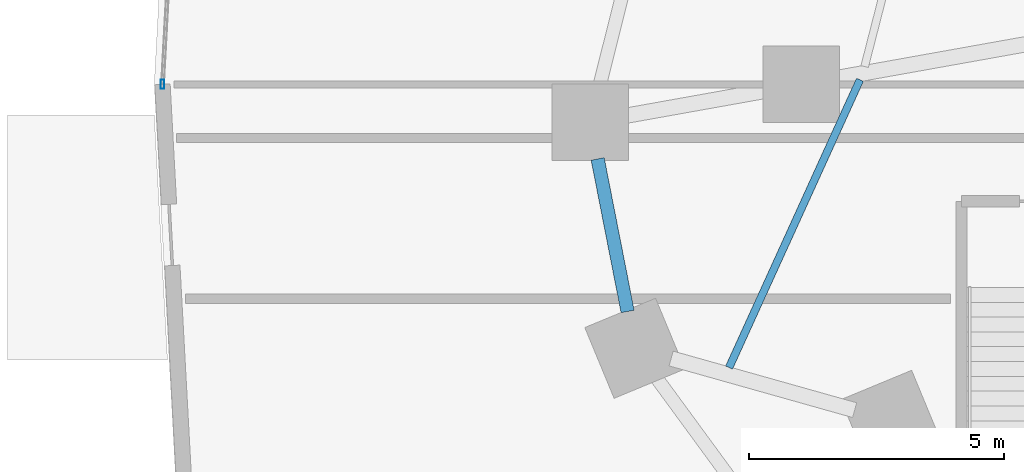
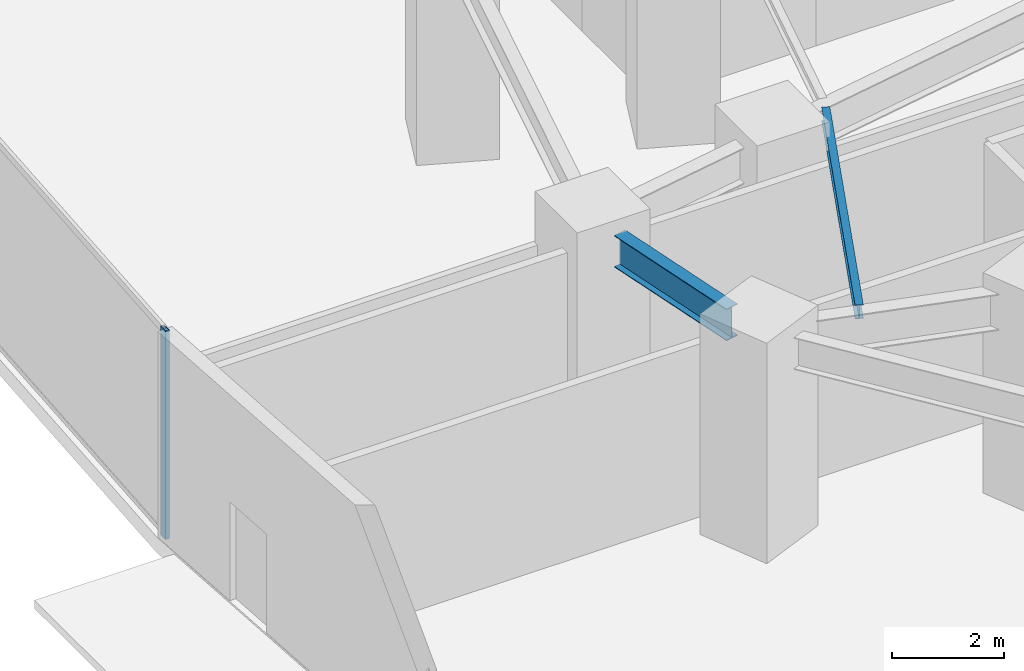
# One storey, part 8 of 36: 2 beams, 1 member, 1 element without a shape of its own.
"""IFC4 building model written with IfcOpenShell, lengths in metres."""

from ifc_helpers import new_model, si_unit, direction, frame, origin, origin_2d, place, context, subcontext, project, spatial, hollow_rectangle, i_section, extrude, material, material_profile, profile_set, type_object, element, aggregate, save


model = new_model("IFC4")

# Units and contexts
model_context = context("Model", 3, precision=1e-05, world=origin(), true_north=direction((0.0, 1.0)))
body_context = subcontext(model_context, "Body", "Model", "MODEL_VIEW")
ifc_project = project(units=[si_unit("LENGTHUNIT", "METRE"), si_unit("AREAUNIT", "SQUARE_METRE"), si_unit("VOLUMEUNIT", "CUBIC_METRE"), si_unit("PLANEANGLEUNIT", "RADIAN"), si_unit("MASSUNIT", "GRAM", prefix="KILO")], contexts=[model_context])

# Site, building, storey
site_placement = place(None, origin())
site = spatial("IfcSite", under=ifc_project, at=site_placement, CompositionType="ELEMENT")
building_placement = place(site_placement, origin())
building = spatial("IfcBuilding", under=site, at=building_placement, Name="Vorneva Point Tower", CompositionType="ELEMENT")
storey_placement = place(building_placement, origin())
storey = spatial("IfcBuildingStorey", under=building, at=storey_placement, Name="L00", CompositionType="ELEMENT", Elevation=0.0)

# Beams
ifc_material_1 = material(Name="Steel S355", Category="steel")
ifc_material_profile_1 = material_profile(ifc_material_1, i_section(OverallWidth=0.14892578125, OverallDepth=0.298095703125, WebThickness=0.005615234375, FlangeThickness=0.008056640625, at=origin_2d()), Name="30B1")
ifc_profile_set_1 = profile_set([ifc_material_profile_1], Name="Steel S355")
beam_type_1 = type_object("IfcBeamType", Name="BM-JST-30B1", PredefinedType="JOIST", material=ifc_profile_set_1)
beam_1_placement = place(storey_placement, frame((16.098388671875, 26.090087890625, 4.3310546875), z_axis=(-0.413975174809, -0.910288171209, 0.0), x_axis=(0.910288171209, -0.413975174809, 0.0)))
element("IfcBeam", 1, at=beam_1_placement, inside=storey, type_object=beam_type_1, Name="L00 Secondary Floor Beam 1.09", PredefinedType="JOIST", context=body_context, shape_type="SweptSolid", body=[
    extrude(i_section(OverallWidth=0.14892578125, OverallDepth=0.298095703125, WebThickness=0.005615234375, FlangeThickness=0.008056640625, at=origin_2d()), origin(), (0.0, 0.0, 1.0), 6.194091796875),
])
ifc_material_profile_2 = material_profile(ifc_material_1, i_section(OverallWidth=0.260009765625, OverallDepth=0.69091796875, WebThickness=0.011962890625, FlangeThickness=0.015380859375, at=origin_2d()), Name="70B1")
ifc_profile_set_2 = profile_set([ifc_material_profile_2], Name="Steel S355")
beam_type_2 = type_object("IfcBeamType", Name="BM-SPN-70B1", PredefinedType="SPANDREL", material=ifc_profile_set_2)
beam_2_placement = place(storey_placement, frame((10.95947265625, 24.539794921875, 4.134521484375), z_axis=(0.192677778742, -0.981262082004, 0.0), x_axis=(0.981262082004, 0.192677778742, 0.0)))
element("IfcBeam", 2, at=beam_2_placement, inside=storey, type_object=beam_type_2, Name="L00 Perimeter Spandrel Ring Beam 09", PredefinedType="SPANDREL", context=body_context, shape_type="SweptSolid", body=[
    extrude(i_section(OverallWidth=0.260009765625, OverallDepth=0.69091796875, WebThickness=0.011962890625, FlangeThickness=0.015380859375, at=origin_2d()), origin(), (0.0, 0.0, 1.0), 3.046142578125),
])

# Curtain wall, member
ifc_material_2 = material(Name="Pale anodised aluminium", Category="aluminium")
curtain_wall_type = type_object("IfcCurtainWallType", Name="CW-POD-SYS", PredefinedType="NOTDEFINED", material=ifc_material_2)
curtain_wall_placement = place(storey_placement, origin())
curtain_wall = element("IfcCurtainWall", 3, at=curtain_wall_placement, inside=storey, type_object=curtain_wall_type, Name="L00 Unitised Curtain Wall CW-L00-R04", PredefinedType="NOTDEFINED")
ifc_material_profile_3 = material_profile(ifc_material_2, hollow_rectangle(XDim=0.074951171875, YDim=0.179931640625, WallThickness=0.00390625, at=origin_2d()), Name="AL-MUL 180x75x4")
ifc_profile_set_3 = profile_set([ifc_material_profile_3], Name="Pale anodised aluminium")
member_type = type_object("IfcMemberType", Name="CW-MUL-180", PredefinedType="MULLION", material=ifc_profile_set_3)
member_placement = place(storey_placement, frame((2.434326171875, 26.0, -0.0400390625), z_axis=(0.0, 0.0, 1.0), x_axis=(1.0, 0.0, 0.0)))
member = element("IfcMember", 4, at=member_placement, type_object=member_type, Name="CW-L00-R04 Mullion 03", PredefinedType="MULLION", context=body_context, shape_type="SweptSolid", body=[
    extrude(hollow_rectangle(XDim=0.074951171875, YDim=0.179931640625, WallThickness=0.00390625, at=origin_2d()), origin(), (0.0, 0.0, 1.0), 4.550048828125),
])
aggregate(curtain_wall, [member])

save(model, "model.ifc")
